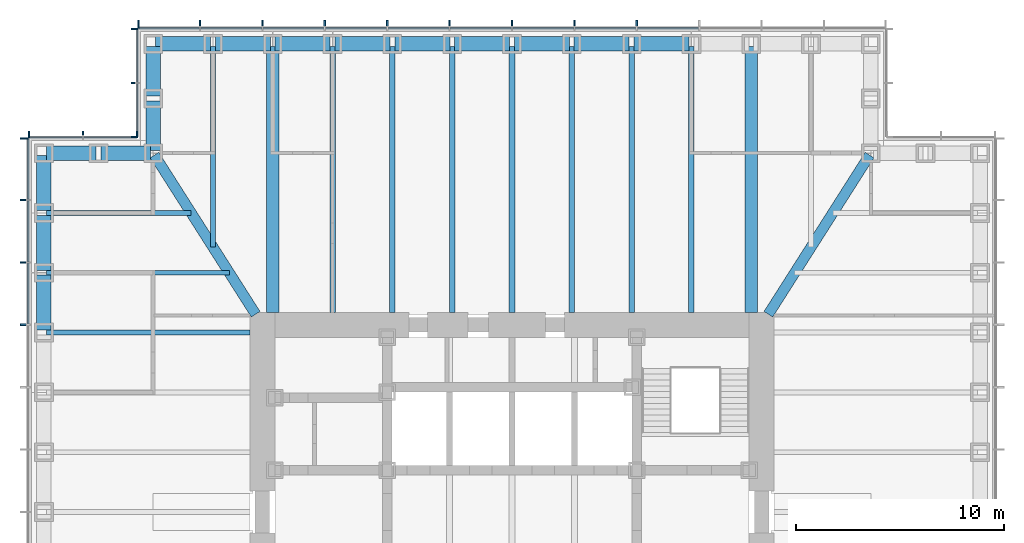
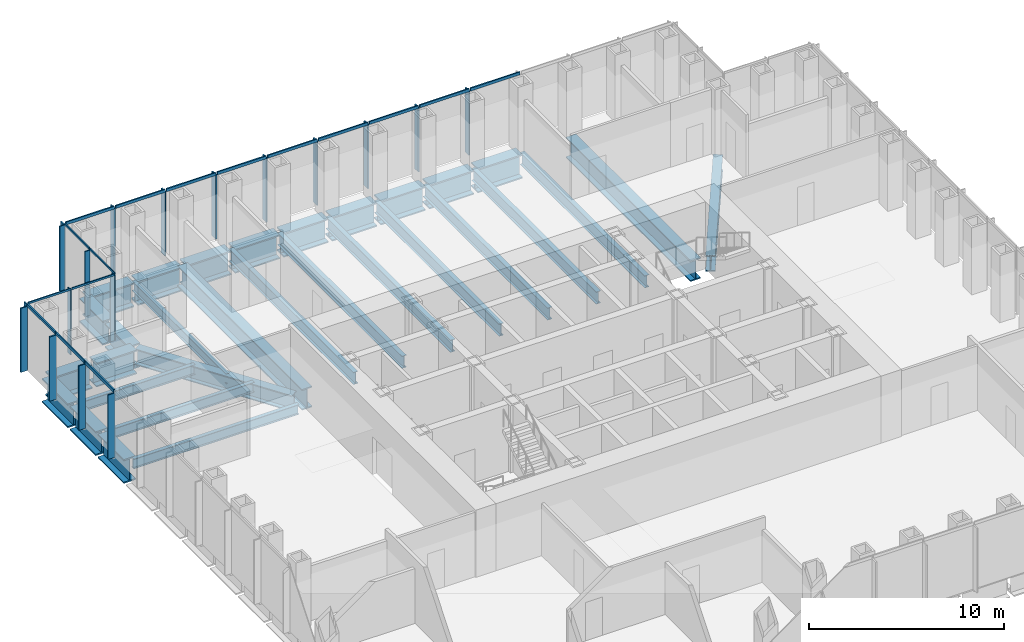
# One storey, part 5 of 17: 35 members, 31 beams, 4 elements without a shape of their own.
"""IFC4 building model written with IfcOpenShell, lengths in metres."""

import ifcopenshell
import ifcopenshell.guid

model = None  # the IFC model being written
_history = None  # IfcOwnerHistory: only IFC2X3 demands one
_inside = {}  # id of a spatial element -> (the spatial element, [elements in it])
_under = {}  # id of a project, library or spatial element -> (it, [spatial elements below it])
_declared = {}  # id of a project -> (the project, [libraries it declares])
_typed = {}  # id of a type object -> (the type object, [elements of that type])
_made_of = {}  # id of a material, layer set ... -> (it, [elements and type objects made of it])


def new_model(schema):
    """Start an empty IFC model of exactly this schema.

    Asked for "IFC4X3", IfcOpenShell would pick the latest addendum, in which some entities
    have other attributes; the version numbers below select the first issue.
    IFC2X3 requires an IfcOwnerHistory on every rooted entity: one is made here for all.
    """
    global model, _history
    if schema == "IFC4X3":
        model = ifcopenshell.file(schema_version=(4, 3, 0, 0))
    else:
        model = ifcopenshell.file(schema=schema)
    _inside.clear()
    _under.clear()
    _declared.clear()
    _typed.clear()
    _made_of.clear()
    _history = None
    if model.schema == "IFC2X3":
        org = make("IfcOrganization", Name="unknown")
        user = make(
            "IfcPersonAndOrganization",
            ThePerson=make("IfcPerson", FamilyName="unknown"),
            TheOrganization=org,
        )
        app = make(
            "IfcApplication",
            ApplicationDeveloper=org,
            Version="unknown",
            ApplicationFullName="unknown",
            ApplicationIdentifier="unknown",
        )
        _history = make(
            "IfcOwnerHistory",
            OwningUser=user,
            OwningApplication=app,
            ChangeAction="ADDED",
            CreationDate=0,
        )
    return model


def make(cls, **values):
    """One entity of the class cls with the attributes given. An attribute that is None is left unset."""
    return model.create_entity(
        cls, **{name: value for name, value in values.items() if value is not None}
    )


def rooted(cls, **values):
    """An entity with a GlobalId (a new one), such as an element, a storey or a relation."""
    return make(cls, GlobalId=ifcopenshell.guid.new(), OwnerHistory=_history, **values)


def si_unit(unit_type, name, prefix=None):
    """IfcSIUnit, for example si_unit("LENGTHUNIT", "METRE", prefix="MILLI")."""
    return make("IfcSIUnit", UnitType=unit_type, Prefix=prefix, Name=name)


def assignment(units):
    """IfcUnitAssignment: the units of a project."""
    return None if units is None else make("IfcUnitAssignment", Units=units)


def point(xyz):
    """IfcCartesianPoint."""
    return None if xyz is None else make("IfcCartesianPoint", Coordinates=xyz)


def direction(xyz):
    """IfcDirection."""
    return None if xyz is None else make("IfcDirection", DirectionRatios=xyz)


def frame(location, z_axis=None, x_axis=None):
    """IfcAxis2Placement3D, a coordinate frame: its origin and axes. An axis left out is left unset."""
    return make(
        "IfcAxis2Placement3D",
        Location=point(location),
        Axis=direction(z_axis),
        RefDirection=direction(x_axis),
    )


def frame_2d(location, x_axis=None):
    """IfcAxis2Placement2D, a coordinate frame in the plane: its origin and x axis."""
    return make(
        "IfcAxis2Placement2D", Location=point(location), RefDirection=direction(x_axis)
    )


def origin():
    """The frame at (0, 0, 0) with its axes left unset."""
    return frame((0.0, 0.0, 0.0))


def origin_2d():
    """The frame at (0, 0) in the plane with its x axis left unset."""
    return frame_2d((0.0, 0.0))


def place(relative_to, where):
    """IfcLocalPlacement: puts the frame where relative to a parent placement (None: the world)."""
    return make(
        "IfcLocalPlacement", PlacementRelTo=relative_to, RelativePlacement=where
    )


def context(
    kind, dimensions, precision=None, world=None, true_north=None, identifier=None
):
    """IfcGeometricRepresentationContext, for example the 3D "Model" context."""
    return make(
        "IfcGeometricRepresentationContext",
        ContextIdentifier=identifier,
        ContextType=kind,
        CoordinateSpaceDimension=dimensions,
        Precision=precision,
        WorldCoordinateSystem=world,
        TrueNorth=true_north,
    )


def subcontext(parent, identifier, kind, view, scale=None):
    """IfcGeometricRepresentationSubContext, for example "Body" below "Model"."""
    return make(
        "IfcGeometricRepresentationSubContext",
        ContextIdentifier=identifier,
        ContextType=kind,
        ParentContext=parent,
        TargetScale=scale,
        TargetView=view,
    )


def project(units=None, contexts=None):
    """IfcProject with its units and contexts."""
    return rooted(
        "IfcProject",
        Name="project",
        RepresentationContexts=contexts,
        UnitsInContext=assignment(units),
    )


def spatial(cls, under=None, at=None, **own):
    """A site, building, storey or space (cls), placed at a placement, below another one or the project."""
    s = rooted(cls, ObjectPlacement=at, **own)
    if under is not None:
        _under.setdefault(under.id(), (under, []))[1].append(s)
    return s


def profile(cls, at=None, kind="AREA", **sizes):
    """A parametric profile (cls). Its sizes go by their IFC names, for example OverallWidth=200.0."""
    return make(cls, ProfileType=kind, Position=at, **sizes)


def rectangle(**sizes):
    """IfcRectangleProfileDef."""
    return profile("IfcRectangleProfileDef", **sizes)


def i_section(**sizes):
    """IfcIShapeProfileDef."""
    return profile("IfcIShapeProfileDef", **sizes)


def extrude(swept, where, along, depth):
    """IfcExtrudedAreaSolid: the profile swept, set in the frame where, extruded along a direction by depth."""
    return make(
        "IfcExtrudedAreaSolid",
        SweptArea=swept,
        Position=where,
        ExtrudedDirection=direction(along),
        Depth=depth,
    )


def shape(context_of_items, identifier, shape_type, items):
    """IfcShapeRepresentation: the items that make up one representation, for example the "Body"."""
    return make(
        "IfcShapeRepresentation",
        ContextOfItems=context_of_items,
        RepresentationIdentifier=identifier,
        RepresentationType=shape_type,
        Items=items,
    )


def material(Name=None, Category=None):
    """IfcMaterial."""
    return make("IfcMaterial", Name=Name, Category=Category)


def material_profile(
    of_material, cross_section, Name=None, Category=None, Priority=None
):
    """IfcMaterialProfile: a cross section and its material."""
    return make(
        "IfcMaterialProfile",
        Name=Name,
        Material=of_material,
        Profile=cross_section,
        Priority=Priority,
        Category=Category,
    )


def profile_set(profiles, Name=None, composite=None):
    """IfcMaterialProfileSet."""
    return make(
        "IfcMaterialProfileSet",
        Name=Name,
        MaterialProfiles=profiles,
        CompositeProfile=composite,
    )


def made_of(thing, what):
    """Note that an element or type object is made of a material, layer set ...; save() writes the relation."""
    if what is not None:
        _made_of.setdefault(what.id(), (what, []))[1].append(thing)
    return thing


def type_object(cls, material=None, **own):
    """A type object (cls), such as IfcWallType, which elements share."""
    return made_of(rooted(cls, **own), material)


def element(
    cls,
    number,
    at=None,
    inside=None,
    cuts=None,
    type_object=None,
    material=None,
    context=None,
    identifier="Body",
    shape_type=None,
    held_by="IfcProductDefinitionShape",
    body=None,
    shapes=None,
    **own,
):
    """One element of the class cls, such as IfcWall. Its Tag is "e" and its number.

    at: its placement. inside: the storey or other place that contains it. cuts: it is an
    opening in that element (IfcRelVoidsElement). A single representation is given by context,
    identifier, shape_type and body (its items); several are given by shapes. held_by: the class
    of the entity that holds the representations. save() writes the other relations.
    """
    e = rooted(cls, Tag="e%d" % number, ObjectPlacement=at, **own)
    if body is not None:
        shapes = [shape(context, identifier, shape_type, body)]
    if shapes is not None:
        e.Representation = make(held_by, Representations=shapes)
    if inside is not None:
        _inside.setdefault(inside.id(), (inside, []))[1].append(e)
    if cuts is not None:
        rooted(
            "IfcRelVoidsElement", RelatingBuildingElement=cuts, RelatedOpeningElement=e
        )
    if type_object is not None:
        _typed.setdefault(type_object.id(), (type_object, []))[1].append(e)
    return made_of(e, material)


def aggregate(whole, parts):
    """IfcRelAggregates: a whole, such as a stair, and the parts it consists of."""
    return rooted("IfcRelAggregates", RelatingObject=whole, RelatedObjects=parts)


def save(model, path):
    """Write the relations noted so far, then the file.

    IfcRelAggregates (storeys below a building ...), IfcRelContainedInSpatialStructure (elements
    in a storey), IfcRelDefinesByType, IfcRelAssociatesMaterial and IfcRelDeclares: one each for
    every whole, place, type object, material and project.
    """
    for whole, parts in _under.values():
        aggregate(whole, parts)
    for where, things in _inside.values():
        rooted(
            "IfcRelContainedInSpatialStructure",
            RelatedElements=things,
            RelatingStructure=where,
        )
    for kind, things in _typed.values():
        rooted("IfcRelDefinesByType", RelatedObjects=things, RelatingType=kind)
    for what, things in _made_of.values():
        rooted("IfcRelAssociatesMaterial", RelatedObjects=things, RelatingMaterial=what)
    for by, libraries in _declared.values():
        rooted("IfcRelDeclares", RelatingContext=by, RelatedDefinitions=libraries)
    model.write(path)


model = new_model("IFC4")

# Units and contexts
model_context = context("Model", 3, precision=1e-05, world=origin(), true_north=direction((0.0, 1.0)))
body_context = subcontext(model_context, "Body", "Model", "MODEL_VIEW")
ifc_project = project(units=[si_unit("LENGTHUNIT", "METRE"), si_unit("AREAUNIT", "SQUARE_METRE"), si_unit("VOLUMEUNIT", "CUBIC_METRE"), si_unit("PLANEANGLEUNIT", "RADIAN"), si_unit("MASSUNIT", "GRAM", prefix="KILO")], contexts=[model_context])

# Site, building, storey
site_placement = place(None, origin())
site = spatial("IfcSite", under=ifc_project, at=site_placement, CompositionType="ELEMENT")
building_placement = place(site_placement, origin())
building = spatial("IfcBuilding", under=site, at=building_placement, Name="Daluyong Arena Tower", CompositionType="ELEMENT")
storey_placement = place(building_placement, frame((0.0, 0.0, 154.300048828125)))
storey = spatial("IfcBuildingStorey", under=building, at=storey_placement, Name="L34", CompositionType="ELEMENT", Elevation=154.300048828125)

# Curtain wall, members
ifc_material_1 = material(Name="Bronze anodised aluminium and glass", Category="aluminium")
curtain_wall_type_1 = type_object("IfcCurtainWallType", Name="Curtain wall CW2", PredefinedType="USERDEFINED", material=ifc_material_1)
curtain_wall_1_placement = place(storey_placement, origin())
curtain_wall_1 = element("IfcCurtainWall", 1, at=curtain_wall_1_placement, inside=storey, type_object=curtain_wall_type_1, Name="curtain wall L34 N", ObjectType="UNITISED CURTAIN WALL", PredefinedType="USERDEFINED")
ifc_material_2 = material(Name="Bronze anodised aluminium fin", Category="aluminium")
ifc_material_profile_1 = material_profile(ifc_material_2, rectangle(XDim=0.39990234375, YDim=0.080078125, at=origin_2d()))
ifc_profile_set_1 = profile_set([ifc_material_profile_1], Name="Bronze anodised aluminium fin")
member_type_1 = type_object("IfcMemberType", Name="CW2 bronze fin 400x80", PredefinedType="MULLION", material=ifc_profile_set_1)
member_1_placement = place(storey_placement, frame((62.0, 103.449951171875, 0.0), z_axis=(0.0, 0.0, 1.0), x_axis=(0.0, -1.0, 0.0)))
member_1 = element("IfcMember", 2, at=member_1_placement, type_object=member_type_1, Name="curtain wall L34 N fin 5", PredefinedType="MULLION", context=body_context, shape_type="SweptSolid", body=[
    extrude(rectangle(XDim=0.39990234375, YDim=0.080078125, at=origin_2d()), origin(), (0.0, 0.0, 1.0), 4.02001953125),
])
member_2_placement = place(storey_placement, frame((59.0, 103.449951171875, 0.0), z_axis=(0.0, 0.0, 1.0), x_axis=(0.0, -1.0, 0.0)))
member_2 = element("IfcMember", 3, at=member_2_placement, type_object=member_type_1, Name="curtain wall L34 N fin 6", PredefinedType="MULLION", context=body_context, shape_type="SweptSolid", body=[
    extrude(rectangle(XDim=0.39990234375, YDim=0.080078125, at=origin_2d()), origin(), (0.0, 0.0, 1.0), 4.02001953125),
])
member_3_placement = place(storey_placement, frame((56.0, 103.449951171875, 0.0), z_axis=(0.0, 0.0, 1.0), x_axis=(0.0, -1.0, 0.0)))
member_3 = element("IfcMember", 4, at=member_3_placement, type_object=member_type_1, Name="curtain wall L34 N fin 7", PredefinedType="MULLION", context=body_context, shape_type="SweptSolid", body=[
    extrude(rectangle(XDim=0.39990234375, YDim=0.080078125, at=origin_2d()), origin(), (0.0, 0.0, 1.0), 4.02001953125),
])
member_4_placement = place(storey_placement, frame((53.0, 103.449951171875, 0.0), z_axis=(0.0, 0.0, 1.0), x_axis=(0.0, -1.0, 0.0)))
member_4 = element("IfcMember", 5, at=member_4_placement, type_object=member_type_1, Name="curtain wall L34 N fin 8", PredefinedType="MULLION", context=body_context, shape_type="SweptSolid", body=[
    extrude(rectangle(XDim=0.39990234375, YDim=0.080078125, at=origin_2d()), origin(), (0.0, 0.0, 1.0), 4.02001953125),
])
member_5_placement = place(storey_placement, frame((50.0, 103.449951171875, 0.0), z_axis=(0.0, 0.0, 1.0), x_axis=(0.0, -1.0, 0.0)))
member_5 = element("IfcMember", 6, at=member_5_placement, type_object=member_type_1, Name="curtain wall L34 N fin 9", PredefinedType="MULLION", context=body_context, shape_type="SweptSolid", body=[
    extrude(rectangle(XDim=0.39990234375, YDim=0.080078125, at=origin_2d()), origin(), (0.0, 0.0, 1.0), 4.02001953125),
])
member_6_placement = place(storey_placement, frame((47.0, 103.449951171875, 0.0), z_axis=(0.0, 0.0, 1.0), x_axis=(0.0, -1.0, 0.0)))
member_6 = element("IfcMember", 7, at=member_6_placement, type_object=member_type_1, Name="curtain wall L34 N fin 10", PredefinedType="MULLION", context=body_context, shape_type="SweptSolid", body=[
    extrude(rectangle(XDim=0.39990234375, YDim=0.080078125, at=origin_2d()), origin(), (0.0, 0.0, 1.0), 4.02001953125),
])
member_7_placement = place(storey_placement, frame((44.0, 103.449951171875, 0.0), z_axis=(0.0, 0.0, 1.0), x_axis=(0.0, -1.0, 0.0)))
member_7 = element("IfcMember", 8, at=member_7_placement, type_object=member_type_1, Name="curtain wall L34 N fin 11", PredefinedType="MULLION", context=body_context, shape_type="SweptSolid", body=[
    extrude(rectangle(XDim=0.39990234375, YDim=0.080078125, at=origin_2d()), origin(), (0.0, 0.0, 1.0), 4.02001953125),
])
member_8_placement = place(storey_placement, frame((41.0, 103.449951171875, 0.0), z_axis=(0.0, 0.0, 1.0), x_axis=(0.0, -1.0, 0.0)))
member_8 = element("IfcMember", 9, at=member_8_placement, type_object=member_type_1, Name="curtain wall L34 N fin 12", PredefinedType="MULLION", context=body_context, shape_type="SweptSolid", body=[
    extrude(rectangle(XDim=0.39990234375, YDim=0.080078125, at=origin_2d()), origin(), (0.0, 0.0, 1.0), 4.02001953125),
])
member_9_placement = place(storey_placement, frame((38.0400390625, 103.449951171875, 0.0), z_axis=(0.0, 0.0, 1.0), x_axis=(0.0, -1.0, 0.0)))
member_9 = element("IfcMember", 10, at=member_9_placement, type_object=member_type_1, Name="curtain wall L34 N fin 13", PredefinedType="MULLION", context=body_context, shape_type="SweptSolid", body=[
    extrude(rectangle(XDim=0.39990234375, YDim=0.080078125, at=origin_2d()), origin(), (0.0, 0.0, 1.0), 4.02001953125),
])

curtain_wall_2_placement = place(storey_placement, origin())
curtain_wall_2 = element("IfcCurtainWall", 11, at=curtain_wall_2_placement, inside=storey, type_object=curtain_wall_type_1, Name="curtain wall L34 W", ObjectType="UNITISED CURTAIN WALL", PredefinedType="USERDEFINED")
member_10_placement = place(storey_placement, frame((32.550048828125, 97.9599609375, 0.0), z_axis=(0.0, 0.0, 1.0), x_axis=(1.0, 0.0, 0.0)))
member_10 = element("IfcMember", 12, at=member_10_placement, type_object=member_type_1, Name="curtain wall L34 W fin 1", PredefinedType="MULLION", context=body_context, shape_type="SweptSolid", body=[
    extrude(rectangle(XDim=0.39990234375, YDim=0.080078125, at=origin_2d()), origin(), (0.0, 0.0, 1.0), 4.02001953125),
])
member_11_placement = place(storey_placement, frame((32.550048828125, 95.0, 0.0), z_axis=(0.0, 0.0, 1.0), x_axis=(1.0, 0.0, 0.0)))
member_11 = element("IfcMember", 13, at=member_11_placement, type_object=member_type_1, Name="curtain wall L34 W fin 2", PredefinedType="MULLION", context=body_context, shape_type="SweptSolid", body=[
    extrude(rectangle(XDim=0.39990234375, YDim=0.080078125, at=origin_2d()), origin(), (0.0, 0.0, 1.0), 4.02001953125),
])
member_12_placement = place(storey_placement, frame((32.550048828125, 92.0, 0.0), z_axis=(0.0, 0.0, 1.0), x_axis=(1.0, 0.0, 0.0)))
member_12 = element("IfcMember", 14, at=member_12_placement, type_object=member_type_1, Name="curtain wall L34 W fin 3", PredefinedType="MULLION", context=body_context, shape_type="SweptSolid", body=[
    extrude(rectangle(XDim=0.39990234375, YDim=0.080078125, at=origin_2d()), origin(), (0.0, 0.0, 1.0), 4.02001953125),
])
member_13_placement = place(storey_placement, frame((32.550048828125, 89.0, 0.0), z_axis=(0.0, 0.0, 1.0), x_axis=(1.0, 0.0, 0.0)))
member_13 = element("IfcMember", 15, at=member_13_placement, type_object=member_type_1, Name="curtain wall L34 W fin 4", PredefinedType="MULLION", context=body_context, shape_type="SweptSolid", body=[
    extrude(rectangle(XDim=0.39990234375, YDim=0.080078125, at=origin_2d()), origin(), (0.0, 0.0, 1.0), 4.02001953125),
])

# Member
ifc_material_3 = material(Name="Bronze anodised aluminium", Category="aluminium")
ifc_material_profile_2 = material_profile(ifc_material_3, rectangle(XDim=0.080078125, YDim=0.179931640625, at=origin_2d()))
ifc_profile_set_2 = profile_set([ifc_material_profile_2], Name="Bronze anodised aluminium")
member_type_2 = type_object("IfcMemberType", Name="CW2 stack transom 180x80", PredefinedType="USERDEFINED", material=ifc_profile_set_2)
member_14_placement = place(storey_placement, frame((64.9599609375, 103.25, 4.10986328125), z_axis=(-1.0, 0.0, 0.0), x_axis=(0.0, -1.0, 0.0)))
member_14 = element("IfcMember", 16, at=member_14_placement, type_object=member_type_2, Name="curtain wall L34 N transom 4", ObjectType="TRANSOM", PredefinedType="USERDEFINED", context=body_context, shape_type="SweptSolid", body=[
    extrude(rectangle(XDim=0.080078125, YDim=0.179931640625, at=origin_2d()), origin(), (0.0, 0.0, 1.0), 2.919921875),
])

member_15_placement = place(storey_placement, frame((61.9599609375, 103.25, 4.10986328125), z_axis=(-1.0, 0.0, 0.0), x_axis=(0.0, -1.0, 0.0)))
member_15 = element("IfcMember", 17, at=member_15_placement, type_object=member_type_2, Name="curtain wall L34 N transom 5", ObjectType="TRANSOM", PredefinedType="USERDEFINED", context=body_context, shape_type="SweptSolid", body=[
    extrude(rectangle(XDim=0.080078125, YDim=0.179931640625, at=origin_2d()), origin(), (0.0, 0.0, 1.0), 2.919921875),
])

member_16_placement = place(storey_placement, frame((58.9599609375, 103.25, 4.10986328125), z_axis=(-1.0, 0.0, 0.0), x_axis=(0.0, -1.0, 0.0)))
member_16 = element("IfcMember", 18, at=member_16_placement, type_object=member_type_2, Name="curtain wall L34 N transom 6", ObjectType="TRANSOM", PredefinedType="USERDEFINED", context=body_context, shape_type="SweptSolid", body=[
    extrude(rectangle(XDim=0.080078125, YDim=0.179931640625, at=origin_2d()), origin(), (0.0, 0.0, 1.0), 2.919921875),
])

member_17_placement = place(storey_placement, frame((55.9599609375, 103.25, 4.10986328125), z_axis=(-1.0, 0.0, 0.0), x_axis=(0.0, -1.0, 0.0)))
member_17 = element("IfcMember", 19, at=member_17_placement, type_object=member_type_2, Name="curtain wall L34 N transom 7", ObjectType="TRANSOM", PredefinedType="USERDEFINED", context=body_context, shape_type="SweptSolid", body=[
    extrude(rectangle(XDim=0.080078125, YDim=0.179931640625, at=origin_2d()), origin(), (0.0, 0.0, 1.0), 2.919921875),
])

member_18_placement = place(storey_placement, frame((52.9599609375, 103.25, 4.10986328125), z_axis=(-1.0, 0.0, 0.0), x_axis=(0.0, -1.0, 0.0)))
member_18 = element("IfcMember", 20, at=member_18_placement, type_object=member_type_2, Name="curtain wall L34 N transom 8", ObjectType="TRANSOM", PredefinedType="USERDEFINED", context=body_context, shape_type="SweptSolid", body=[
    extrude(rectangle(XDim=0.080078125, YDim=0.179931640625, at=origin_2d()), origin(), (0.0, 0.0, 1.0), 2.919921875),
])

member_19_placement = place(storey_placement, frame((49.9599609375, 103.25, 4.10986328125), z_axis=(-1.0, 0.0, 0.0), x_axis=(0.0, -1.0, 0.0)))
member_19 = element("IfcMember", 21, at=member_19_placement, type_object=member_type_2, Name="curtain wall L34 N transom 9", ObjectType="TRANSOM", PredefinedType="USERDEFINED", context=body_context, shape_type="SweptSolid", body=[
    extrude(rectangle(XDim=0.080078125, YDim=0.179931640625, at=origin_2d()), origin(), (0.0, 0.0, 1.0), 2.919921875),
])

member_20_placement = place(storey_placement, frame((46.9599609375, 103.25, 4.10986328125), z_axis=(-1.0, 0.0, 0.0), x_axis=(0.0, -1.0, 0.0)))
member_20 = element("IfcMember", 22, at=member_20_placement, type_object=member_type_2, Name="curtain wall L34 N transom 10", ObjectType="TRANSOM", PredefinedType="USERDEFINED", context=body_context, shape_type="SweptSolid", body=[
    extrude(rectangle(XDim=0.080078125, YDim=0.179931640625, at=origin_2d()), origin(), (0.0, 0.0, 1.0), 2.919921875),
])

member_21_placement = place(storey_placement, frame((43.9599609375, 103.25, 4.10986328125), z_axis=(-1.0, 0.0, 0.0), x_axis=(0.0, -1.0, 0.0)))
member_21 = element("IfcMember", 23, at=member_21_placement, type_object=member_type_2, Name="curtain wall L34 N transom 11", ObjectType="TRANSOM", PredefinedType="USERDEFINED", context=body_context, shape_type="SweptSolid", body=[
    extrude(rectangle(XDim=0.080078125, YDim=0.179931640625, at=origin_2d()), origin(), (0.0, 0.0, 1.0), 2.919921875),
])

member_22_placement = place(storey_placement, frame((40.9599609375, 103.25, 4.10986328125), z_axis=(-1.0, 0.0, 0.0), x_axis=(0.0, -1.0, 0.0)))
member_22 = element("IfcMember", 24, at=member_22_placement, type_object=member_type_2, Name="curtain wall L34 N transom 12", ObjectType="TRANSOM", PredefinedType="USERDEFINED", context=body_context, shape_type="SweptSolid", body=[
    extrude(rectangle(XDim=0.080078125, YDim=0.179931640625, at=origin_2d()), origin(), (0.0, 0.0, 1.0), 2.8798828125),
])

aggregate(curtain_wall_1, [member_1, member_2, member_3, member_4, member_5, member_6, member_7, member_8, member_9, member_14, member_15, member_16, member_17, member_18, member_19, member_20, member_21, member_22])

member_23_placement = place(storey_placement, frame((32.75, 97.919921875, 4.10986328125), z_axis=(0.0, -1.0, 0.0), x_axis=(1.0, 0.0, 0.0)))
member_23 = element("IfcMember", 25, at=member_23_placement, type_object=member_type_2, Name="curtain wall L34 W transom 1", ObjectType="TRANSOM", PredefinedType="USERDEFINED", context=body_context, shape_type="SweptSolid", body=[
    extrude(rectangle(XDim=0.080078125, YDim=0.179931640625, at=origin_2d()), origin(), (0.0, 0.0, 1.0), 2.8798828125),
])

member_24_placement = place(storey_placement, frame((32.75, 94.9599609375, 4.10986328125), z_axis=(0.0, -1.0, 0.0), x_axis=(1.0, 0.0, 0.0)))
member_24 = element("IfcMember", 26, at=member_24_placement, type_object=member_type_2, Name="curtain wall L34 W transom 2", ObjectType="TRANSOM", PredefinedType="USERDEFINED", context=body_context, shape_type="SweptSolid", body=[
    extrude(rectangle(XDim=0.080078125, YDim=0.179931640625, at=origin_2d()), origin(), (0.0, 0.0, 1.0), 2.919921875),
])

member_25_placement = place(storey_placement, frame((32.75, 91.9599609375, 4.10986328125), z_axis=(0.0, -1.0, 0.0), x_axis=(1.0, 0.0, 0.0)))
member_25 = element("IfcMember", 27, at=member_25_placement, type_object=member_type_2, Name="curtain wall L34 W transom 3", ObjectType="TRANSOM", PredefinedType="USERDEFINED", context=body_context, shape_type="SweptSolid", body=[
    extrude(rectangle(XDim=0.080078125, YDim=0.179931640625, at=origin_2d()), origin(), (0.0, 0.0, 1.0), 2.919921875),
])

aggregate(curtain_wall_2, [member_10, member_11, member_12, member_13, member_23, member_24, member_25])

# Curtain wall, members
ifc_material_4 = material(Name="Bronze anodised aluminium and glass", Category="aluminium")
curtain_wall_type_2 = type_object("IfcCurtainWallType", Name="Curtain wall CW7", PredefinedType="USERDEFINED", material=ifc_material_4)
curtain_wall_3_placement = place(storey_placement, origin())
curtain_wall_3 = element("IfcCurtainWall", 28, at=curtain_wall_3_placement, inside=storey, type_object=curtain_wall_type_2, Name="curtain wall L34 NW-W", ObjectType="UNITISED CURTAIN WALL", PredefinedType="USERDEFINED")
ifc_material_5 = material(Name="Bronze anodised aluminium fin", Category="aluminium")
ifc_material_profile_3 = material_profile(ifc_material_5, rectangle(XDim=0.300048828125, YDim=0.06005859375, at=origin_2d()))
ifc_profile_set_3 = profile_set([ifc_material_profile_3], Name="Bronze anodised aluminium fin")
member_type_3 = type_object("IfcMemberType", Name="CW7 bronze fin 300x60", PredefinedType="MULLION", material=ifc_profile_set_3)
member_26_placement = place(storey_placement, frame((37.85009765625, 103.219970703125, 0.0), z_axis=(0.0, 0.0, 1.0), x_axis=(1.0, 0.0, 0.0)))
member_26 = element("IfcMember", 29, at=member_26_placement, type_object=member_type_3, Name="curtain wall L34 NW-W fin 1", PredefinedType="MULLION", context=body_context, shape_type="SweptSolid", body=[
    extrude(rectangle(XDim=0.300048828125, YDim=0.06005859375, at=origin_2d()), origin(), (0.0, 0.0, 1.0), 4.079833984375),
])
member_27_placement = place(storey_placement, frame((37.85009765625, 100.625, 0.0), z_axis=(0.0, 0.0, 1.0), x_axis=(1.0, 0.0, 0.0)))
member_27 = element("IfcMember", 30, at=member_27_placement, type_object=member_type_3, Name="curtain wall L34 NW-W fin 2", PredefinedType="MULLION", context=body_context, shape_type="SweptSolid", body=[
    extrude(rectangle(XDim=0.300048828125, YDim=0.06005859375, at=origin_2d()), origin(), (0.0, 0.0, 1.0), 4.079833984375),
])
member_28_placement = place(storey_placement, frame((37.85009765625, 98.030029296875, 0.0), z_axis=(0.0, 0.0, 1.0), x_axis=(1.0, 0.0, 0.0)))
member_28 = element("IfcMember", 31, at=member_28_placement, type_object=member_type_3, Name="curtain wall L34 NW-W fin 3", PredefinedType="MULLION", context=body_context, shape_type="SweptSolid", body=[
    extrude(rectangle(XDim=0.300048828125, YDim=0.06005859375, at=origin_2d()), origin(), (0.0, 0.0, 1.0), 4.079833984375),
])

curtain_wall_4_placement = place(storey_placement, origin())
curtain_wall_4 = element("IfcCurtainWall", 32, at=curtain_wall_4_placement, inside=storey, type_object=curtain_wall_type_2, Name="curtain wall L34 NW-N", ObjectType="UNITISED CURTAIN WALL", PredefinedType="USERDEFINED")
member_29_placement = place(storey_placement, frame((37.969970703125, 98.14990234375, 0.0), z_axis=(0.0, 0.0, 1.0), x_axis=(0.0, -1.0, 0.0)))
member_29 = element("IfcMember", 33, at=member_29_placement, type_object=member_type_3, Name="curtain wall L34 NW-N fin 1", PredefinedType="MULLION", context=body_context, shape_type="SweptSolid", body=[
    extrude(rectangle(XDim=0.300048828125, YDim=0.06005859375, at=origin_2d()), origin(), (0.0, 0.0, 1.0), 4.079833984375),
])
member_30_placement = place(storey_placement, frame((35.375, 98.14990234375, 0.0), z_axis=(0.0, 0.0, 1.0), x_axis=(0.0, -1.0, 0.0)))
member_30 = element("IfcMember", 34, at=member_30_placement, type_object=member_type_3, Name="curtain wall L34 NW-N fin 2", PredefinedType="MULLION", context=body_context, shape_type="SweptSolid", body=[
    extrude(rectangle(XDim=0.300048828125, YDim=0.06005859375, at=origin_2d()), origin(), (0.0, 0.0, 1.0), 4.079833984375),
])
member_31_placement = place(storey_placement, frame((32.780029296875, 98.14990234375, 0.0), z_axis=(0.0, 0.0, 1.0), x_axis=(0.0, -1.0, 0.0)))
member_31 = element("IfcMember", 35, at=member_31_placement, type_object=member_type_3, Name="curtain wall L34 NW-N fin 3", PredefinedType="MULLION", context=body_context, shape_type="SweptSolid", body=[
    extrude(rectangle(XDim=0.300048828125, YDim=0.06005859375, at=origin_2d()), origin(), (0.0, 0.0, 1.0), 4.079833984375),
])

# Member
ifc_material_6 = material(Name="Bronze anodised aluminium", Category="aluminium")
ifc_material_profile_4 = material_profile(ifc_material_6, rectangle(XDim=0.06005859375, YDim=0.1201171875, at=origin_2d()))
ifc_profile_set_4 = profile_set([ifc_material_profile_4], Name="Bronze anodised aluminium")
member_type_4 = type_object("IfcMemberType", Name="CW7 stack transom 120x60", PredefinedType="USERDEFINED", material=ifc_profile_set_4)
member_32_placement = place(storey_placement, frame((38.0, 103.18994140625, 4.139892578125), z_axis=(0.0, -1.0, 0.0), x_axis=(1.0, 0.0, 0.0)))
member_32 = element("IfcMember", 36, at=member_32_placement, type_object=member_type_4, Name="curtain wall L34 NW-W transom 1", ObjectType="TRANSOM", PredefinedType="USERDEFINED", context=body_context, shape_type="SweptSolid", body=[
    extrude(rectangle(XDim=0.06005859375, YDim=0.1201171875, at=origin_2d()), origin(), (0.0, 0.0, 1.0), 2.534912109375),
])

member_33_placement = place(storey_placement, frame((38.0, 100.594970703125, 4.139892578125), z_axis=(0.0, -1.0, 0.0), x_axis=(1.0, 0.0, 0.0)))
member_33 = element("IfcMember", 37, at=member_33_placement, type_object=member_type_4, Name="curtain wall L34 NW-W transom 2", ObjectType="TRANSOM", PredefinedType="USERDEFINED", context=body_context, shape_type="SweptSolid", body=[
    extrude(rectangle(XDim=0.06005859375, YDim=0.1201171875, at=origin_2d()), origin(), (0.0, 0.0, 1.0), 2.534912109375),
])

aggregate(curtain_wall_3, [member_26, member_27, member_28, member_32, member_33])

member_34_placement = place(storey_placement, frame((37.93994140625, 98.0, 4.139892578125), z_axis=(-1.0, 0.0, 0.0), x_axis=(0.0, -1.0, 0.0)))
member_34 = element("IfcMember", 38, at=member_34_placement, type_object=member_type_4, Name="curtain wall L34 NW-N transom 1", ObjectType="TRANSOM", PredefinedType="USERDEFINED", context=body_context, shape_type="SweptSolid", body=[
    extrude(rectangle(XDim=0.06005859375, YDim=0.1201171875, at=origin_2d()), origin(), (0.0, 0.0, 1.0), 2.534912109375),
])

member_35_placement = place(storey_placement, frame((35.344970703125, 98.0, 4.139892578125), z_axis=(-1.0, 0.0, 0.0), x_axis=(0.0, -1.0, 0.0)))
member_35 = element("IfcMember", 39, at=member_35_placement, type_object=member_type_4, Name="curtain wall L34 NW-N transom 2", ObjectType="TRANSOM", PredefinedType="USERDEFINED", context=body_context, shape_type="SweptSolid", body=[
    extrude(rectangle(XDim=0.06005859375, YDim=0.1201171875, at=origin_2d()), origin(), (0.0, 0.0, 1.0), 2.534912109375),
])

aggregate(curtain_wall_4, [member_29, member_30, member_31, member_34, member_35])

# Beams
ifc_material_7 = material(Name="Steel ASTM A572 Grade 50", Category="steel")
ifc_material_profile_5 = material_profile(ifc_material_7, i_section(OverallWidth=0.5, OverallDepth=1.0, WebThickness=0.03, FlangeThickness=0.06, at=origin_2d()))
ifc_profile_set_5 = profile_set([ifc_material_profile_5], Name="Steel ASTM A572 Grade 50")
beam_type_1 = type_object("IfcBeamType", Name="Corner girder TB1000X500", PredefinedType="BEAM", material=ifc_profile_set_5)
for number, where, z_axis, x_axis, name in (
    (40, (73.188232421875, 97.153076171875, -0.66015625), (-0.536872006459, -0.843663705916, 0.0), (0.843663705916, -0.536872006459, 0.0), "corner girder DG2"),
    (41, (38.811767578125, 97.153076171875, -0.66015625), (0.536872006459, -0.843663705916, 0.0), (0.843663705916, 0.536872006459, 0.0), "corner girder DG2"),
):
    element("IfcBeam", number, at=place(storey_placement, frame(where, z_axis=z_axis, x_axis=x_axis)), inside=storey, type_object=beam_type_1, Name=name, PredefinedType="BEAM", context=body_context, shape_type="SweptSolid", body=[
        extrude(i_section(OverallWidth=0.5, OverallDepth=1.0, WebThickness=0.03, FlangeThickness=0.06, at=origin_2d()), origin(), (0.0, 0.0, 1.0), 9.06396484375),
    ])
ifc_material_8 = material(Name="Steel ASTM A572 Grade 50", Category="steel")
ifc_material_profile_6 = material_profile(ifc_material_8, i_section(OverallWidth=0.60009765625, OverallDepth=1.300048828125, WebThickness=0.035, FlangeThickness=0.07, at=origin_2d()))
ifc_profile_set_6 = profile_set([ifc_material_profile_6], Name="Steel ASTM A572 Grade 50")
beam_type_2 = type_object("IfcBeamType", Name="Floor beam TB1300X600", PredefinedType="BEAM", material=ifc_profile_set_6)
for number, where, z_axis, x_axis, name in (
    (42, (67.5, 102.385009765625, -0.81005859375), (0.0, -1.0, 0.0), (1.0, 0.0, 0.0), "floor beam FB7"),
    (43, (44.5, 102.385009765625, -0.81005859375), (0.0, -1.0, 0.0), (1.0, 0.0, 0.0), "floor beam FB7"),
):
    element("IfcBeam", number, at=place(storey_placement, frame(where, z_axis=z_axis, x_axis=x_axis)), inside=storey, type_object=beam_type_2, Name=name, PredefinedType="BEAM", context=body_context, shape_type="SweptSolid", body=[
        extrude(i_section(OverallWidth=0.60009765625, OverallDepth=1.300048828125, WebThickness=0.035, FlangeThickness=0.07, at=origin_2d()), origin(), (0.0, 0.0, 1.0), 12.784912109375),
    ])
ifc_material_9 = material(Name="Steel ASTM A992 Grade 50", Category="steel")
ifc_material_profile_7 = material_profile(ifc_material_9, i_section(OverallWidth=0.22900390625, OverallDepth=0.612060546875, WebThickness=0.011962890625, FlangeThickness=0.01953125, at=origin_2d()))
ifc_profile_set_7 = profile_set([ifc_material_profile_7], Name="Steel ASTM A992 Grade 50")
beam_type_3 = type_object("IfcBeamType", Name="Floor beam W24X84", PredefinedType="BEAM", material=ifc_profile_set_7)
beam_1_placement = place(storey_placement, frame((41.625, 102.385009765625, -0.466064453125), z_axis=(0.0, -1.0, 0.0), x_axis=(1.0, 0.0, 0.0)))
element("IfcBeam", 44, at=beam_1_placement, inside=storey, type_object=beam_type_3, Name="floor beam FB3", PredefinedType="BEAM", context=body_context, shape_type="SweptSolid", body=[
    extrude(i_section(OverallWidth=0.22900390625, OverallDepth=0.612060546875, WebThickness=0.011962890625, FlangeThickness=0.01953125, at=origin_2d()), origin(), (0.0, 0.0, 1.0), 9.65283203125),
])
beam_2_placement = place(storey_placement, frame((33.614990234375, 94.375, -0.466064453125), z_axis=(1.0, 0.0, 0.0), x_axis=(0.0, 1.0, 0.0)))
element("IfcBeam", 45, at=beam_2_placement, inside=storey, type_object=beam_type_3, Name="floor beam FB3", PredefinedType="BEAM", context=body_context, shape_type="SweptSolid", body=[
    extrude(i_section(OverallWidth=0.22900390625, OverallDepth=0.612060546875, WebThickness=0.011962890625, FlangeThickness=0.01953125, at=origin_2d()), origin(), (0.0, 0.0, 1.0), 6.964599609375),
])
beam_3_placement = place(storey_placement, frame((33.614990234375, 91.5, -0.466064453125), z_axis=(1.0, 0.0, 0.0), x_axis=(0.0, 1.0, 0.0)))
element("IfcBeam", 46, at=beam_3_placement, inside=storey, type_object=beam_type_3, Name="floor beam FB3", PredefinedType="BEAM", context=body_context, shape_type="SweptSolid", body=[
    extrude(i_section(OverallWidth=0.22900390625, OverallDepth=0.612060546875, WebThickness=0.011962890625, FlangeThickness=0.01953125, at=origin_2d()), origin(), (0.0, 0.0, 1.0), 8.794189453125),
])
beam_4_placement = place(storey_placement, frame((33.614990234375, 88.625, -0.466064453125), z_axis=(1.0, 0.0, 0.0), x_axis=(0.0, 1.0, 0.0)))
element("IfcBeam", 47, at=beam_4_placement, inside=storey, type_object=beam_type_3, Name="floor beam FB3", PredefinedType="BEAM", context=body_context, shape_type="SweptSolid", body=[
    extrude(i_section(OverallWidth=0.22900390625, OverallDepth=0.612060546875, WebThickness=0.011962890625, FlangeThickness=0.01953125, at=origin_2d()), origin(), (0.0, 0.0, 1.0), 9.784912109375),
])
ifc_material_10 = material(Name="Steel ASTM A992 Grade 50", Category="steel")
ifc_material_profile_8 = material_profile(ifc_material_10, i_section(OverallWidth=0.2666015625, OverallDepth=0.761962890625, WebThickness=0.014404296875, FlangeThickness=0.021484375, at=origin_2d()))
ifc_profile_set_8 = profile_set([ifc_material_profile_8], Name="Steel ASTM A992 Grade 50")
beam_type_4 = type_object("IfcBeamType", Name="Floor beam W30X116", PredefinedType="BEAM", material=ifc_profile_set_8)
for number, where, z_axis, x_axis, name in (
    (48, (64.625, 102.385009765625, -0.541015625), (0.0, -1.0, 0.0), (1.0, 0.0, 0.0), "floor beam FB4"),
    (49, (61.75, 102.385009765625, -0.541015625), (0.0, -1.0, 0.0), (1.0, 0.0, 0.0), "floor beam FB4"),
    (50, (58.875, 102.385009765625, -0.541015625), (0.0, -1.0, 0.0), (1.0, 0.0, 0.0), "floor beam FB4"),
    (51, (56.0, 102.385009765625, -0.541015625), (0.0, -1.0, 0.0), (1.0, 0.0, 0.0), "floor beam FB4"),
    (52, (53.125, 102.385009765625, -0.541015625), (0.0, -1.0, 0.0), (1.0, 0.0, 0.0), "floor beam FB4"),
    (53, (50.25, 102.385009765625, -0.541015625), (0.0, -1.0, 0.0), (1.0, 0.0, 0.0), "floor beam FB4"),
    (54, (47.375, 102.385009765625, -0.541015625), (0.0, -1.0, 0.0), (1.0, 0.0, 0.0), "floor beam FB4"),
):
    element("IfcBeam", number, at=place(storey_placement, frame(where, z_axis=z_axis, x_axis=x_axis)), inside=storey, type_object=beam_type_4, Name=name, PredefinedType="BEAM", context=body_context, shape_type="SweptSolid", body=[
        extrude(i_section(OverallWidth=0.2666015625, OverallDepth=0.761962890625, WebThickness=0.014404296875, FlangeThickness=0.021484375, at=origin_2d()), origin(), (0.0, 0.0, 1.0), 12.784912109375),
    ])
ifc_material_11 = material(Name="Steel ASTM A572 Grade 50", Category="steel")
ifc_material_profile_9 = material_profile(ifc_material_11, i_section(OverallWidth=0.699951171875, OverallDepth=1.5, WebThickness=0.04, FlangeThickness=0.08, at=origin_2d()))
ifc_profile_set_9 = profile_set([ifc_material_profile_9], Name="Steel ASTM A572 Grade 50")
beam_type_5 = type_object("IfcBeamType", Name="Spandrel Z2 PG1500X700", PredefinedType="SPANDREL", material=ifc_profile_set_9)
for number, where, z_axis, x_axis, name in (
    (55, (64.510009765625, 102.5, -0.91015625), (-1.0, 0.0, 0.0), (0.0, -1.0, 0.0), "spandrel z2 SB6"),
    (56, (61.635009765625, 102.5, -0.91015625), (-1.0, 0.0, 0.0), (0.0, -1.0, 0.0), "spandrel z2 SB6"),
    (57, (58.760009765625, 102.5, -0.91015625), (-1.0, 0.0, 0.0), (0.0, -1.0, 0.0), "spandrel z2 SB6"),
    (58, (55.885009765625, 102.5, -0.91015625), (-1.0, 0.0, 0.0), (0.0, -1.0, 0.0), "spandrel z2 SB6"),
    (59, (53.010009765625, 102.5, -0.91015625), (-1.0, 0.0, 0.0), (0.0, -1.0, 0.0), "spandrel z2 SB6"),
    (60, (50.135009765625, 102.5, -0.91015625), (-1.0, 0.0, 0.0), (0.0, -1.0, 0.0), "spandrel z2 SB6"),
    (61, (47.260009765625, 102.5, -0.91015625), (-1.0, 0.0, 0.0), (0.0, -1.0, 0.0), "spandrel z2 SB6"),
    (62, (44.385009765625, 102.5, -0.91015625), (-1.0, 0.0, 0.0), (0.0, -1.0, 0.0), "spandrel z2 SB6"),
    (63, (41.510009765625, 102.5, -0.91015625), (-1.0, 0.0, 0.0), (0.0, -1.0, 0.0), "spandrel z2 SB6"),
):
    element("IfcBeam", number, at=place(storey_placement, frame(where, z_axis=z_axis, x_axis=x_axis)), inside=storey, type_object=beam_type_5, Name=name, PredefinedType="SPANDREL", context=body_context, shape_type="SweptSolid", body=[
        extrude(i_section(OverallWidth=0.699951171875, OverallDepth=1.5, WebThickness=0.04, FlangeThickness=0.08, at=origin_2d()), origin(), (0.0, 0.0, 1.0), 2.64501953125),
    ])
for number, where, z_axis, x_axis, name in (
    (64, (38.75, 102.385009765625, -0.91015625), (0.0, -1.0, 0.0), (1.0, 0.0, 0.0), "spandrel z2 SB6"),
    (65, (38.75, 99.760009765625, -0.91015625), (0.0, -1.0, 0.0), (1.0, 0.0, 0.0), "spandrel z2 SB6"),
    (66, (38.635009765625, 97.25, -0.91015625), (-1.0, 0.0, 0.0), (0.0, -1.0, 0.0), "spandrel z2 SB6"),
    (67, (36.010009765625, 97.25, -0.91015625), (-1.0, 0.0, 0.0), (0.0, -1.0, 0.0), "spandrel z2 SB6"),
):
    element("IfcBeam", number, at=place(storey_placement, frame(where, z_axis=z_axis, x_axis=x_axis)), inside=storey, type_object=beam_type_5, Name=name, PredefinedType="SPANDREL", context=body_context, shape_type="SweptSolid", body=[
        extrude(i_section(OverallWidth=0.699951171875, OverallDepth=1.5, WebThickness=0.04, FlangeThickness=0.08, at=origin_2d()), origin(), (0.0, 0.0, 1.0), 2.39501953125),
    ])
for number, where, z_axis, x_axis, name in (
    (68, (33.5, 97.135009765625, -0.91015625), (0.0, -1.0, 0.0), (1.0, 0.0, 0.0), "spandrel z2 SB6"),
    (69, (33.5, 94.260009765625, -0.91015625), (0.0, -1.0, 0.0), (1.0, 0.0, 0.0), "spandrel z2 SB6"),
    (70, (33.5, 91.385009765625, -0.91015625), (0.0, -1.0, 0.0), (1.0, 0.0, 0.0), "spandrel z2 SB6"),
):
    element("IfcBeam", number, at=place(storey_placement, frame(where, z_axis=z_axis, x_axis=x_axis)), inside=storey, type_object=beam_type_5, Name=name, PredefinedType="SPANDREL", context=body_context, shape_type="SweptSolid", body=[
        extrude(i_section(OverallWidth=0.699951171875, OverallDepth=1.5, WebThickness=0.04, FlangeThickness=0.08, at=origin_2d()), origin(), (0.0, 0.0, 1.0), 2.64501953125),
    ])

save(model, "model.ifc")
